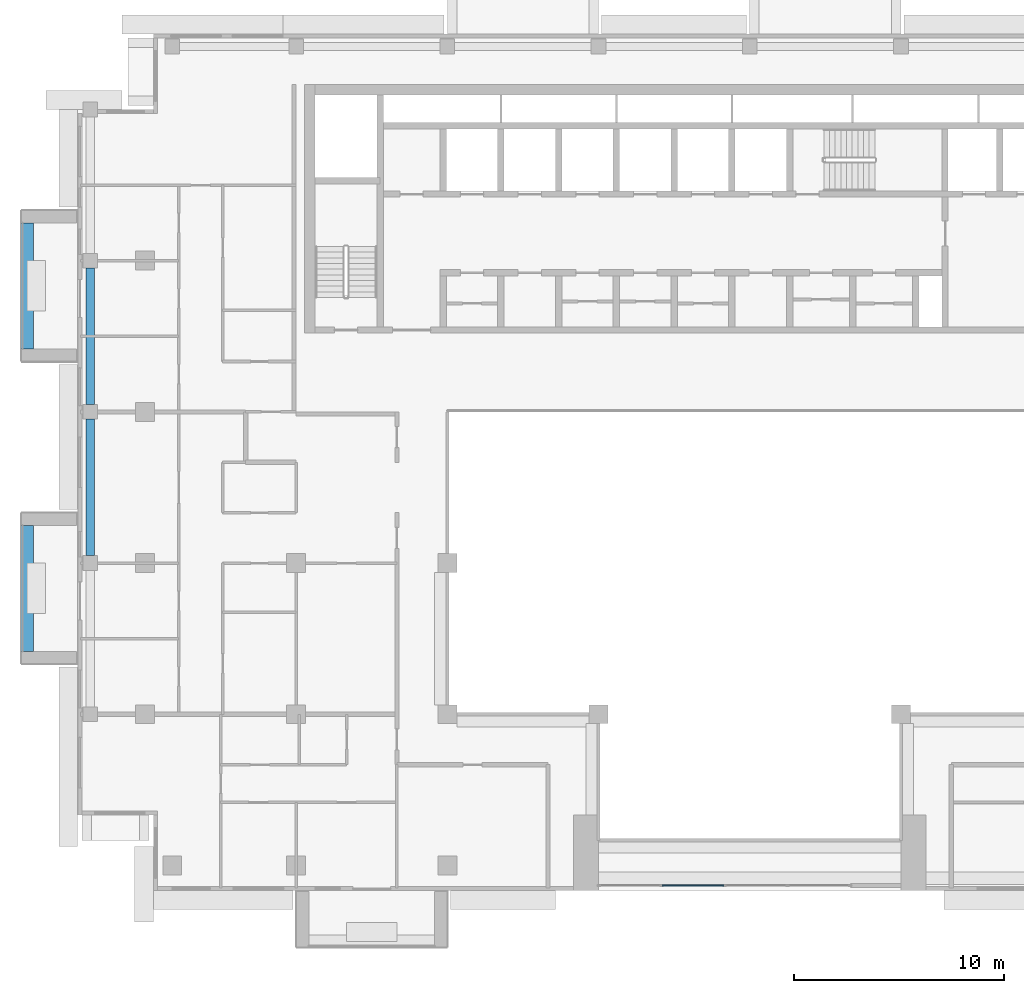
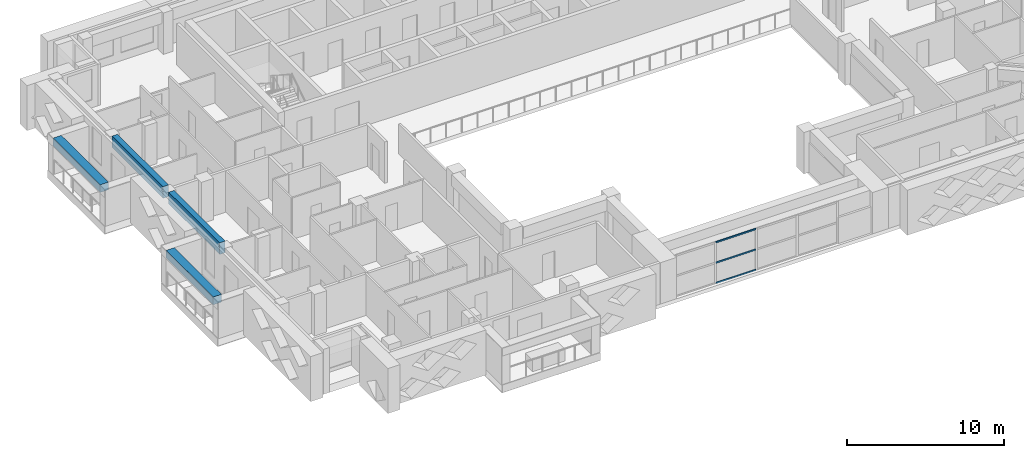
# One storey, part 3 of 19: 4 beams, 3 members, 1 element without a shape of its own.
"""IFC4 building model written with IfcOpenShell, lengths in metres."""

from ifc_helpers import new_model, si_unit, direction, frame, origin, origin_2d, place, context, subcontext, project, spatial, rectangle, extrude, source, transform, mapped, material, layer, layer_set, material_profile, profile_set, type_object, element, aggregate, save


model = new_model("IFC4")

# Units and contexts
model_context = context("Model", 3, precision=1e-05, world=origin(), true_north=direction((0.0, 1.0)))
body_context = subcontext(model_context, "Body", "Model", "MODEL_VIEW")
ifc_project = project(units=[si_unit("LENGTHUNIT", "METRE"), si_unit("AREAUNIT", "SQUARE_METRE"), si_unit("VOLUMEUNIT", "CUBIC_METRE"), si_unit("PLANEANGLEUNIT", "RADIAN"), si_unit("MASSUNIT", "GRAM", prefix="KILO")], contexts=[model_context])

# Site, building, storey
site_placement = place(None, origin())
site = spatial("IfcSite", under=ifc_project, at=site_placement, CompositionType="ELEMENT")
building_placement = place(site_placement, origin())
building = spatial("IfcBuilding", under=site, at=building_placement, Name="Saffron Iwan Residences", CompositionType="ELEMENT")
storey_placement = place(building_placement, frame((0.0, 0.0, 222.0)))
storey = spatial("IfcBuildingStorey", under=building, at=storey_placement, Name="L59", CompositionType="ELEMENT", Elevation=222.0)

# Beams
ifc_material_1 = material(Name="Concrete C40/50", Category="concrete")
ifc_material_profile_1 = material_profile(ifc_material_1, rectangle(XDim=0.39990234375, YDim=0.89990234375, at=origin_2d()), Name="RC 400x900")
ifc_profile_set_1 = profile_set([ifc_material_profile_1], Name="Concrete C40/50")
beam_type_1 = type_object("IfcBeamType", Name="SPANDREL BEAM RC 400x900 C40/50 TOP 3220", PredefinedType="SPANDREL", material=ifc_profile_set_1)
shared_shape_1 = source(origin(), body_context, "Body", "SweptSolid", [
    extrude(rectangle(XDim=0.39990234375, YDim=0.89990234375, at=origin_2d()), origin(), (0.0, 0.0, 1.0), 6.5),
])
for number, where, z_axis, x_axis, name in (
    (1, (19.0, 55.550048828125, 2.77001953125), (0.0, 1.0, 0.0), (-1.0, 0.0, 0.0), "Spandrel beam"),
    (2, (19.0, 62.75, 2.77001953125), (0.0, 1.0, 0.0), (-1.0, 0.0, 0.0), "Spandrel beam"),
):
    element("IfcBeam", number, at=place(storey_placement, frame(where, z_axis=z_axis, x_axis=x_axis)), inside=storey, type_object=beam_type_1, Name=name, PredefinedType="SPANDREL", context=body_context, shape_type="MappedRepresentation", body=[
        mapped(shared_shape_1, transform((0.0, 0.0, 0.0))),
    ])

# Curtain wall, members
ifc_material_2 = material(Name="Clear glass, laminated double glazed", Category="glass")
ifc_layer = layer(ifc_material_2, 0.199951171875)
ifc_layer_set = layer_set([ifc_layer], Name="Clear glass, laminated double glazed")
curtain_wall_type = type_object("IfcCurtainWallType", Name="CW-B IWAN PORTAL", PredefinedType="NOTDEFINED", material=ifc_layer_set)
curtain_wall_placement = place(storey_placement, origin())
curtain_wall = element("IfcCurtainWall", 3, at=curtain_wall_placement, inside=storey, type_object=curtain_wall_type, Name="Iwan portal glazing L59.1", PredefinedType="NOTDEFINED")
ifc_material_3 = material(Name="Aluminium 6063-T6", Category="aluminium")
ifc_material_profile_2 = material_profile(ifc_material_3, rectangle(XDim=0.06005859375, YDim=0.1201171875, at=origin_2d()), Name="CW-B TRANSOM 60 x 120")
ifc_profile_set_2 = profile_set([ifc_material_profile_2], Name="Aluminium 6063-T6")
member_type = type_object("IfcMemberType", Name="CW-B TRANSOM 60 x 120", PredefinedType="USERDEFINED", material=ifc_profile_set_2)
shared_shape_2 = source(origin(), body_context, "Body", "SweptSolid", [
    extrude(rectangle(XDim=0.06005859375, YDim=0.1201171875, at=origin_2d()), origin(), (0.0, 0.0, 1.0), 2.93994140625),
])
member_1_placement = place(storey_placement, frame((46.22998046875, 39.85009765625, 0.030029296875), z_axis=(1.0, 0.0, 0.0), x_axis=(0.0, 1.0, 0.0)))
member_1 = element("IfcMember", 4, at=member_1_placement, type_object=member_type, Name="CW-B transom 2.1", ObjectType="TRANSOM", PredefinedType="USERDEFINED", context=body_context, shape_type="MappedRepresentation", body=[
    mapped(shared_shape_2, transform((0.0, 0.0, 0.0))),
])
member_2_placement = place(storey_placement, frame((46.22998046875, 39.85009765625, 1.610107421875), z_axis=(1.0, 0.0, 0.0), x_axis=(0.0, 1.0, 0.0)))
member_2 = element("IfcMember", 5, at=member_2_placement, type_object=member_type, Name="CW-B transom 2.2", ObjectType="TRANSOM", PredefinedType="USERDEFINED", context=body_context, shape_type="MappedRepresentation", body=[
    mapped(shared_shape_2, transform((0.0, 0.0, 0.0))),
])
member_3_placement = place(storey_placement, frame((46.22998046875, 39.85009765625, 3.18994140625), z_axis=(1.0, 0.0, 0.0), x_axis=(0.0, 1.0, 0.0)))
member_3 = element("IfcMember", 6, at=member_3_placement, type_object=member_type, Name="CW-B transom 2.3", ObjectType="TRANSOM", PredefinedType="USERDEFINED", context=body_context, shape_type="MappedRepresentation", body=[
    mapped(shared_shape_2, transform((0.0, 0.0, 0.0))),
])
aggregate(curtain_wall, [member_1, member_2, member_3])

# Beams
ifc_material_4 = material(Name="Concrete C50/60 white painted", Category="concrete")
ifc_material_profile_3 = material_profile(ifc_material_4, rectangle(XDim=0.60009765625, YDim=0.60009765625, at=origin_2d()), Name="BALCONY FASCIA BEAM 600 x 600")
ifc_profile_set_3 = profile_set([ifc_material_profile_3], Name="Concrete C50/60 white painted")
beam_type_2 = type_object("IfcBeamType", Name="BALCONY FASCIA BEAM 600 x 600", PredefinedType="BEAM", material=ifc_profile_set_3)
shared_shape_3 = source(origin(), body_context, "Body", "SweptSolid", [
    extrude(rectangle(XDim=0.60009765625, YDim=0.60009765625, at=origin_2d()), origin(), (0.0, 0.0, 1.0), 6.0),
])
for number, where, z_axis, x_axis, name in (
    (7, (16.0, 71.39990234375, 2.550048828125), (0.0, -1.0, 0.0), (1.0, 0.0, 0.0), "Balcony fascia beam L59 F8-0"),
    (8, (16.0, 57.0, 2.550048828125), (0.0, -1.0, 0.0), (1.0, 0.0, 0.0), "Balcony fascia beam L59 F8-1"),
):
    element("IfcBeam", number, at=place(storey_placement, frame(where, z_axis=z_axis, x_axis=x_axis)), inside=storey, type_object=beam_type_2, Name=name, PredefinedType="BEAM", context=body_context, shape_type="MappedRepresentation", body=[
        mapped(shared_shape_3, transform((0.0, 0.0, 0.0))),
    ])

save(model, "model.ifc")
